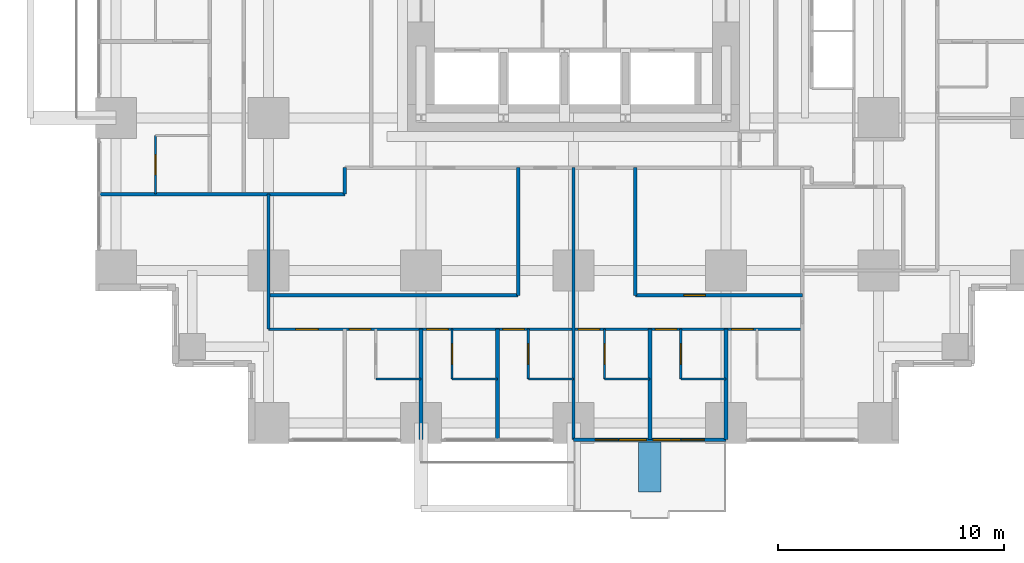
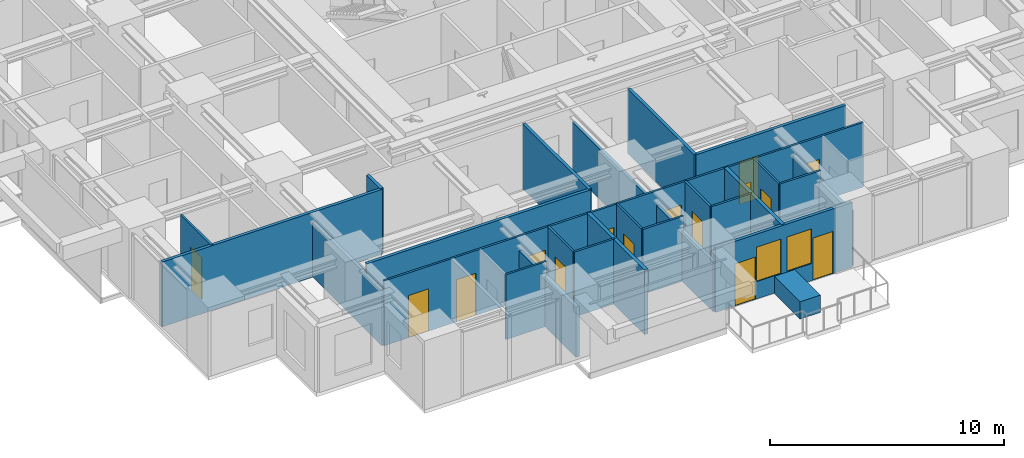
# One storey, part 8 of 14: 25 walls, 15 doors, 2 windows, 17 openings.
"""IFC4 building model written with IfcOpenShell, lengths in metres."""

from ifc_helpers import new_model, si_unit, direction, frame, frame_2d, origin, place, context, subcontext, project, spatial, rectangle, extrude, material, layer, layer_set, type_object, element, fill, save


model = new_model("IFC4")

# Units and contexts
model_context = context("Model", 3, precision=1e-05, world=origin(), true_north=direction((0.0, 1.0)))
body_context = subcontext(model_context, "Body", "Model", "MODEL_VIEW")
ifc_project = project(units=[si_unit("LENGTHUNIT", "METRE"), si_unit("AREAUNIT", "SQUARE_METRE"), si_unit("VOLUMEUNIT", "CUBIC_METRE"), si_unit("PLANEANGLEUNIT", "RADIAN"), si_unit("MASSUNIT", "GRAM", prefix="KILO")], contexts=[model_context])

# Site, building, storey
site_placement = place(None, origin())
site = spatial("IfcSite", under=ifc_project, at=site_placement, CompositionType="ELEMENT")
building_placement = place(site_placement, origin())
building = spatial("IfcBuilding", under=site, at=building_placement, Name="Nyansa Garden Tower", CompositionType="ELEMENT")
storey_placement = place(building_placement, frame((0.0, 0.0, 64.800048828125)))
storey = spatial("IfcBuildingStorey", under=building, at=storey_placement, Name="L17", CompositionType="ELEMENT", Elevation=64.800048828125)

# Walls
ifc_material_1 = material(Name="Dense blockwork, plastered both sides, 55 dB", Category="masonry")
ifc_layer_1 = layer(ifc_material_1, 0.175048828125)
ifc_layer_set_1 = layer_set([ifc_layer_1], Name="Acoustic party wall PW175")
wall_type_1 = type_object("IfcWallType", Name="Acoustic party wall PW175", PredefinedType="PARTITIONING", material=ifc_layer_set_1)
wall_1_placement = place(storey_placement, frame((13.5, -0.73388671875, 0.0), z_axis=(0.0, 0.0, 1.0), x_axis=(0.0, 1.0, 0.0)))
element("IfcWall", 1, at=wall_1_placement, inside=storey, type_object=wall_type_1, Name="Party wall", PredefinedType="PARTITIONING", context=body_context, shape_type="SweptSolid", body=[
    extrude(rectangle(XDim=4.8837890625, YDim=0.175048828125, at=frame_2d((2.44189453125, 0.0))), origin(), (0.0, 0.0, 1.0), 2.60986328125),
])
for number, where, z_axis, x_axis, name in (
    (2, (16.875, -0.73388671875, 0.0), (0.0, 0.0, 1.0), (0.0, 1.0, 0.0), "Party wall"),
    (3, (23.625, -0.73388671875, 0.0), (0.0, 0.0, 1.0), (0.0, 1.0, 0.0), "Party wall"),
):
    element("IfcWall", number, at=place(storey_placement, frame(where, z_axis=z_axis, x_axis=x_axis)), inside=storey, type_object=wall_type_1, Name=name, PredefinedType="PARTITIONING", context=body_context, shape_type="SweptSolid", body=[
        extrude(rectangle(XDim=4.8837890625, YDim=0.175048828125, at=frame_2d((2.44189453125, 0.0))), origin(), (0.0, 0.0, 1.0), 3.375),
    ])
wall_2_placement = place(storey_placement, frame((27.0, -0.73388671875, 0.0), z_axis=(0.0, 0.0, 1.0), x_axis=(0.0, 1.0, 0.0)))
element("IfcWall", 4, at=wall_2_placement, inside=storey, type_object=wall_type_1, Name="Party wall", PredefinedType="PARTITIONING", context=body_context, shape_type="SweptSolid", body=[
    extrude(rectangle(XDim=4.8837890625, YDim=0.175048828125, at=frame_2d((2.44189453125, 0.0))), origin(), (0.0, 0.0, 1.0), 2.876953125),
])

# Wall, openings, doors, windows
ifc_material_2 = material(Name="Black aluminium framed glazed screen", Category="aluminium")
ifc_layer_2 = layer(ifc_material_2, 0.14990234375)
ifc_layer_set_2 = layer_set([ifc_layer_2], Name="Balcony screen wall BW150")
wall_type_2 = type_object("IfcWallType", Name="Balcony screen wall BW150", PredefinedType="SOLIDWALL", material=ifc_layer_set_2)
wall_3_placement = place(storey_placement, frame((27.0, -0.75, 0.0), z_axis=(0.0, 0.0, 1.0), x_axis=(-1.0, 0.0, 0.0)))
wall_3 = element("IfcWall", 5, at=wall_3_placement, inside=storey, type_object=wall_type_2, Name="Glazed screen wall L17 S", PredefinedType="SOLIDWALL", context=body_context, shape_type="SweptSolid", body=[
    extrude(rectangle(XDim=6.75, YDim=0.14990234375, at=frame_2d((3.375, 0.0))), origin(), (0.0, 0.0, 1.0), 3.375),
])
opening_1_placement = place(wall_3_placement, frame((0.96240234375, 0.0, 0.0)))
opening_1 = element("IfcOpeningElement", 6, at=opening_1_placement, cuts=wall_3, Name="Opening D20", PredefinedType="OPENING", context=body_context, shape_type="SweptSolid", body=[
    extrude(rectangle(XDim=1.0, YDim=2.199951171875, at=frame_2d((0.5, 1.10009765625))), frame((0.0, 0.0849609375, 0.0), z_axis=(0.0, -1.0, 0.0), x_axis=(1.0, 0.0, 0.0)), (0.0, 0.0, 1.0), 0.169921875),
])
opening_2_placement = place(wall_3_placement, frame((2.02490234375, 0.0, 0.89990234375)))
opening_2 = element("IfcOpeningElement", 7, at=opening_2_placement, cuts=wall_3, Name="Opening W6", PredefinedType="OPENING", context=body_context, shape_type="SweptSolid", body=[
    extrude(rectangle(XDim=1.199951171875, YDim=1.800048828125, at=frame_2d((0.60009765625, 0.89990234375))), frame((0.0, 0.0849609375, 0.0), z_axis=(0.0, -1.0, 0.0), x_axis=(1.0, 0.0, 0.0)), (0.0, 0.0, 1.0), 0.169921875),
])
opening_3_placement = place(wall_3_placement, frame((4.78759765625, 0.0, 0.0)))
opening_3 = element("IfcOpeningElement", 8, at=opening_3_placement, cuts=wall_3, Name="Opening D20", PredefinedType="OPENING", context=body_context, shape_type="SweptSolid", body=[
    extrude(rectangle(XDim=1.0, YDim=2.199951171875, at=frame_2d((0.5, 1.10009765625))), frame((0.0, 0.0849609375, 0.0), z_axis=(0.0, -1.0, 0.0), x_axis=(1.0, 0.0, 0.0)), (0.0, 0.0, 1.0), 0.169921875),
])
opening_4_placement = place(wall_3_placement, frame((3.52490234375, 0.0, 0.89990234375)))
opening_4 = element("IfcOpeningElement", 9, at=opening_4_placement, cuts=wall_3, Name="Opening W6", PredefinedType="OPENING", context=body_context, shape_type="SweptSolid", body=[
    extrude(rectangle(XDim=1.199951171875, YDim=1.800048828125, at=frame_2d((0.60009765625, 0.89990234375))), frame((0.0, 0.0849609375, 0.0), z_axis=(0.0, -1.0, 0.0), x_axis=(1.0, 0.0, 0.0)), (0.0, 0.0, 1.0), 0.169921875),
])
ifc_material_3 = material(Name="Black aluminium framed glazed door", Category="aluminium")
door_type_1 = type_object("IfcDoorType", Name="Balcony door D20 1000x2200", OperationType="NOTDEFINED", PredefinedType="DOOR", material=ifc_material_3)
door_1_placement = place(opening_1_placement, origin())
door_1 = element("IfcDoor", 10, at=door_1_placement, inside=storey, type_object=door_type_1, Name="Balcony door L17", OperationType="SINGLE_SWING_LEFT", OverallHeight=2.199951171875, OverallWidth=1.0, PredefinedType="DOOR", context=body_context, shape_type="SweptSolid", body=[
    extrude(rectangle(XDim=1.0, YDim=2.199951171875, at=frame_2d((0.5, 1.10009765625))), frame((0.0, 0.02490234375, 0.0), z_axis=(0.0, -1.0, 0.0), x_axis=(1.0, 0.0, 0.0)), (0.0, 0.0, 1.0), 0.050048828125),
])
fill(opening_1, door_1)
door_2_placement = place(opening_3_placement, origin())
door_2 = element("IfcDoor", 11, at=door_2_placement, inside=storey, type_object=door_type_1, Name="Balcony door L17", OperationType="SINGLE_SWING_RIGHT", OverallHeight=2.199951171875, OverallWidth=1.0, PredefinedType="DOOR", context=body_context, shape_type="SweptSolid", body=[
    extrude(rectangle(XDim=1.0, YDim=2.199951171875, at=frame_2d((0.5, 1.10009765625))), frame((0.0, 0.02490234375, 0.0), z_axis=(0.0, -1.0, 0.0), x_axis=(1.0, 0.0, 0.0)), (0.0, 0.0, 1.0), 0.050048828125),
])
fill(opening_3, door_2)
ifc_material_4 = material(Name="Black aluminium frame, dark tinted double glazing", Category="aluminium")
window_type = type_object("IfcWindowType", Name="Balcony window W6 1200x1800", PartitioningType="SINGLE_PANEL", PredefinedType="WINDOW", material=ifc_material_4)
window_1_placement = place(opening_2_placement, origin())
window_1 = element("IfcWindow", 12, at=window_1_placement, inside=storey, type_object=window_type, Name="Window L17", OverallHeight=1.800048828125, OverallWidth=1.199951171875, PartitioningType="SINGLE_PANEL", PredefinedType="WINDOW", context=body_context, shape_type="SweptSolid", body=[
    extrude(rectangle(XDim=1.199951171875, YDim=1.800048828125, at=frame_2d((0.60009765625, 0.89990234375))), frame((0.0, 0.030029296875, 0.0), z_axis=(0.0, -1.0, 0.0), x_axis=(1.0, 0.0, 0.0)), (0.0, 0.0, 1.0), 0.06005859375),
])
fill(opening_2, window_1)
window_2_placement = place(opening_4_placement, origin())
window_2 = element("IfcWindow", 13, at=window_2_placement, inside=storey, type_object=window_type, Name="Window L17", OverallHeight=1.800048828125, OverallWidth=1.199951171875, PartitioningType="SINGLE_PANEL", PredefinedType="WINDOW", context=body_context, shape_type="SweptSolid", body=[
    extrude(rectangle(XDim=1.199951171875, YDim=1.800048828125, at=frame_2d((0.60009765625, 0.89990234375))), frame((0.0, 0.030029296875, 0.0), z_axis=(0.0, -1.0, 0.0), x_axis=(1.0, 0.0, 0.0)), (0.0, 0.0, 1.0), 0.06005859375),
])
fill(opening_4, window_2)

# Walls
ifc_material_5 = material(Name="Blockwork, plastered both sides", Category="masonry")
ifc_layer_3 = layer(ifc_material_5, 0.14990234375)
ifc_layer_set_3 = layer_set([ifc_layer_3], Name="Partition PW150")
wall_type_3 = type_object("IfcWallType", Name="Partition PW150", PredefinedType="PARTITIONING", material=ifc_layer_set_3)
wall_4_placement = place(storey_placement, frame((-0.73388671875, 10.125, 0.0), z_axis=(0.0, 0.0, 1.0), x_axis=(1.0, 0.0, 0.0)))
element("IfcWall", 14, at=wall_4_placement, inside=storey, type_object=wall_type_3, Name="Partition", PredefinedType="PARTITIONING", context=body_context, shape_type="SweptSolid", body=[
    extrude(rectangle(XDim=10.85888671875, YDim=0.14990234375, at=frame_2d((5.429443359375, 0.0))), origin(), (0.0, 0.0, 1.0), 3.375),
])
wall_5_placement = place(storey_placement, frame((6.75, 4.14990234375, 0.0), z_axis=(0.0, 0.0, 1.0), x_axis=(0.0, 1.0, 0.0)))
element("IfcWall", 15, at=wall_5_placement, inside=storey, type_object=wall_type_3, Name="Partition", PredefinedType="PARTITIONING", context=body_context, shape_type="SweptSolid", body=[
    extrude(rectangle(XDim=5.97509765625, YDim=0.14990234375, at=frame_2d((2.987548828125, 0.0))), origin(), (0.0, 0.0, 1.0), 2.876953125),
])
wall_6_placement = place(storey_placement, frame((6.75, 5.64990234375, 0.0), z_axis=(0.0, 0.0, 1.0), x_axis=(1.0, 0.0, 0.0)))
element("IfcWall", 16, at=wall_6_placement, inside=storey, type_object=wall_type_3, Name="Partition", PredefinedType="PARTITIONING", context=body_context, shape_type="SweptSolid", body=[
    extrude(rectangle(XDim=11.050048828125, YDim=0.14990234375, at=frame_2d((5.52490234375, 0.0))), origin(), (0.0, 0.0, 1.0), 3.375),
])
wall_7_placement = place(storey_placement, frame((10.125, 10.125, 0.0), z_axis=(0.0, 0.0, 1.0), x_axis=(0.0, 1.0, 0.0)))
element("IfcWall", 17, at=wall_7_placement, inside=storey, type_object=wall_type_3, Name="Partition", PredefinedType="PARTITIONING", context=body_context, shape_type="SweptSolid", body=[
    extrude(rectangle(XDim=1.175048828125, YDim=0.14990234375, at=frame_2d((0.58740234375, 0.0))), origin(), (0.0, 0.0, 1.0), 3.375),
])
wall_8_placement = place(storey_placement, frame((17.800048828125, 5.64990234375, 0.0), z_axis=(0.0, 0.0, 1.0), x_axis=(0.0, 1.0, 0.0)))
element("IfcWall", 18, at=wall_8_placement, inside=storey, type_object=wall_type_3, Name="Partition", PredefinedType="PARTITIONING", context=body_context, shape_type="SweptSolid", body=[
    extrude(rectangle(XDim=5.650146484375, YDim=0.14990234375, at=frame_2d((2.8251953125, 0.0))), origin(), (0.0, 0.0, 1.0), 3.375),
])
wall_9_placement = place(storey_placement, frame((20.25, -0.73388671875, 0.0), z_axis=(0.0, 0.0, 1.0), x_axis=(0.0, 1.0, 0.0)))
element("IfcWall", 19, at=wall_9_placement, inside=storey, type_object=wall_type_3, Name="Partition", PredefinedType="PARTITIONING", context=body_context, shape_type="SweptSolid", body=[
    extrude(rectangle(XDim=12.033935546875, YDim=0.14990234375, at=frame_2d((6.01708984375, 0.0))), origin(), (0.0, 0.0, 1.0), 2.60986328125),
])

# Wall, opening, door
wall_10_placement = place(storey_placement, frame((22.987548828125, 5.64990234375, 0.0), z_axis=(0.0, 0.0, 1.0), x_axis=(1.0, 0.0, 0.0)))
wall_10 = element("IfcWall", 20, at=wall_10_placement, inside=storey, type_object=wall_type_3, Name="Partition", PredefinedType="PARTITIONING", context=body_context, shape_type="SweptSolid", body=[
    extrude(rectangle(XDim=7.387451171875, YDim=0.14990234375, at=frame_2d((3.69384765625, 0.0))), origin(), (0.0, 0.0, 1.0), 3.375),
])
opening_5_placement = place(wall_10_placement, frame((2.14990234375, 0.0, 0.0)))
opening_5 = element("IfcOpeningElement", 21, at=opening_5_placement, cuts=wall_10, Name="Opening D01", PredefinedType="OPENING", context=body_context, shape_type="SweptSolid", body=[
    extrude(rectangle(XDim=0.949951171875, YDim=2.199951171875, at=frame_2d((0.47509765625, 1.10009765625))), frame((0.0, 0.0849609375, 0.0), z_axis=(0.0, -1.0, 0.0), x_axis=(1.0, 0.0, 0.0)), (0.0, 0.0, 1.0), 0.169921875),
])
ifc_material_6 = material(Name="Timber flush door, 30 minute fire resisting", Category="wood")
door_type_2 = type_object("IfcDoorType", Name="Bedroom door D01 950x2200", OperationType="SINGLE_SWING_LEFT", PredefinedType="DOOR", material=ifc_material_6)
door_3_placement = place(opening_5_placement, origin())
door_3 = element("IfcDoor", 22, at=door_3_placement, inside=storey, type_object=door_type_2, Name="Door L17-033", OperationType="SINGLE_SWING_LEFT", OverallHeight=2.199951171875, OverallWidth=0.949951171875, PredefinedType="DOOR", context=body_context, shape_type="SweptSolid", body=[
    extrude(rectangle(XDim=0.949951171875, YDim=2.199951171875, at=frame_2d((0.47509765625, 1.10009765625))), frame((0.0, 0.02490234375, 0.0), z_axis=(0.0, -1.0, 0.0), x_axis=(1.0, 0.0, 0.0)), (0.0, 0.0, 1.0), 0.050048828125),
])
fill(opening_5, door_3)

# Walls
wall_11_placement = place(storey_placement, frame((22.988037109375, 5.64990234375, 0.0), z_axis=(0.0, 0.0, 1.0), x_axis=(0.0, 1.0, 0.0)))
element("IfcWall", 23, at=wall_11_placement, inside=storey, type_object=wall_type_3, Name="Partition", PredefinedType="PARTITIONING", context=body_context, shape_type="SweptSolid", body=[
    extrude(rectangle(XDim=5.650146484375, YDim=0.14990234375, at=frame_2d((2.8251953125, 0.0))), origin(), (0.0, 0.0, 1.0), 3.375),
])
ifc_material_7 = material(Name="Concrete C40/50 planter, waterproofed", Category="concrete")
ifc_layer_4 = layer(ifc_material_7, 1.0)
ifc_layer_set_4 = layer_set([ifc_layer_4], Name="Tree planter TP1")
wall_type_4 = type_object("IfcWallType", Name="Tree planter TP1", PredefinedType="USERDEFINED", material=ifc_layer_set_4)
wall_12_placement = place(storey_placement, frame((23.625, -0.85009765625, 0.0), z_axis=(0.0, 0.0, 1.0), x_axis=(0.0, -1.0, 0.0)))
element("IfcWall", 24, at=wall_12_placement, inside=storey, type_object=wall_type_4, Name="Tree planter L17", ObjectType="TREE PLANTER", PredefinedType="USERDEFINED", context=body_context, shape_type="SweptSolid", body=[
    extrude(rectangle(XDim=2.199951171875, YDim=1.0, at=frame_2d((1.10009765625, 0.0))), origin(), (0.0, 0.0, 1.0), 0.89990234375),
])

# Wall, opening, door
ifc_material_8 = material(Name="Moisture resistant board on steel studs, tiled", Category="steel")
ifc_layer_5 = layer(ifc_material_8, 0.10009765625)
ifc_layer_set_5 = layer_set([ifc_layer_5], Name="Wet wall PW100")
wall_type_5 = type_object("IfcWallType", Name="Wet wall PW100", PredefinedType="PARTITIONING", material=ifc_layer_set_5)
wall_13_placement = place(storey_placement, frame((1.75, 10.125, 0.0), z_axis=(0.0, 0.0, 1.0), x_axis=(0.0, 1.0, 0.0)))
wall_13 = element("IfcWall", 25, at=wall_13_placement, inside=storey, type_object=wall_type_5, Name="Wet wall", PredefinedType="PARTITIONING", context=body_context, shape_type="SweptSolid", body=[
    extrude(rectangle(XDim=2.60009765625, YDim=0.10009765625, at=frame_2d((1.300048828125, 0.0))), origin(), (0.0, 0.0, 1.0), 3.375),
])
opening_6_placement = place(wall_13_placement, frame((0.85009765625, 0.0, 0.0)))
opening_6 = element("IfcOpeningElement", 26, at=opening_6_placement, cuts=wall_13, Name="Opening D02", PredefinedType="OPENING", context=body_context, shape_type="SweptSolid", body=[
    extrude(rectangle(XDim=0.89990234375, YDim=2.199951171875, at=frame_2d((0.449951171875, 1.10009765625))), frame((0.0, 0.06005859375, 0.0), z_axis=(0.0, -1.0, 0.0), x_axis=(1.0, 0.0, 0.0)), (0.0, 0.0, 1.0), 0.1201171875),
])
ifc_material_9 = material(Name="Timber flush door", Category="wood")
door_type_3 = type_object("IfcDoorType", Name="En-suite door D02 900x2200", OperationType="SINGLE_SWING_RIGHT", PredefinedType="DOOR", material=ifc_material_9)
door_4_placement = place(opening_6_placement, origin())
door_4 = element("IfcDoor", 27, at=door_4_placement, inside=storey, type_object=door_type_3, Name="Door L17-060", OperationType="SINGLE_SWING_RIGHT", OverallHeight=2.199951171875, OverallWidth=0.89990234375, PredefinedType="DOOR", context=body_context, shape_type="SweptSolid", body=[
    extrude(rectangle(XDim=0.89990234375, YDim=2.199951171875, at=frame_2d((0.449951171875, 1.10009765625))), frame((0.0, 0.02490234375, 0.0), z_axis=(0.0, -1.0, 0.0), x_axis=(1.0, 0.0, 0.0)), (0.0, 0.0, 1.0), 0.050048828125),
])
fill(opening_6, door_4)

# Wall, openings, doors
wall_14_placement = place(storey_placement, frame((6.75, 4.14990234375, 0.0), z_axis=(0.0, 0.0, 1.0), x_axis=(1.0, 0.0, 0.0)))
wall_14 = element("IfcWall", 28, at=wall_14_placement, inside=storey, type_object=wall_type_5, Name="Wet wall", PredefinedType="PARTITIONING", context=body_context, shape_type="SweptSolid", body=[
    extrude(rectangle(XDim=23.625, YDim=0.10009765625, at=frame_2d((11.8125, 0.0))), origin(), (0.0, 0.0, 1.0), 3.375),
])
opening_7_placement = place(wall_14_placement, frame((1.199951171875, 0.0, 0.0)))
opening_7 = element("IfcOpeningElement", 29, at=opening_7_placement, cuts=wall_14, Name="Opening D03", PredefinedType="OPENING", context=body_context, shape_type="SweptSolid", body=[
    extrude(rectangle(XDim=1.0, YDim=2.199951171875, at=frame_2d((0.5, 1.10009765625))), frame((0.0, 0.06005859375, 0.0), z_axis=(0.0, -1.0, 0.0), x_axis=(1.0, 0.0, 0.0)), (0.0, 0.0, 1.0), 0.1201171875),
])
opening_8_placement = place(wall_14_placement, frame((3.574951171875, 0.0, 0.0)))
opening_8 = element("IfcOpeningElement", 30, at=opening_8_placement, cuts=wall_14, Name="Opening D01", PredefinedType="OPENING", context=body_context, shape_type="SweptSolid", body=[
    extrude(rectangle(XDim=0.949951171875, YDim=2.199951171875, at=frame_2d((0.47509765625, 1.10009765625))), frame((0.0, 0.06005859375, 0.0), z_axis=(0.0, -1.0, 0.0), x_axis=(1.0, 0.0, 0.0)), (0.0, 0.0, 1.0), 0.1201171875),
])
opening_9_placement = place(wall_14_placement, frame((7.0, 0.0, 0.0)))
opening_9 = element("IfcOpeningElement", 31, at=opening_9_placement, cuts=wall_14, Name="Opening D01", PredefinedType="OPENING", context=body_context, shape_type="SweptSolid", body=[
    extrude(rectangle(XDim=0.949951171875, YDim=2.199951171875, at=frame_2d((0.47509765625, 1.10009765625))), frame((0.0, 0.06005859375, 0.0), z_axis=(0.0, -1.0, 0.0), x_axis=(1.0, 0.0, 0.0)), (0.0, 0.0, 1.0), 0.1201171875),
])
opening_10_placement = place(wall_14_placement, frame((10.375, 0.0, 0.0)))
opening_10 = element("IfcOpeningElement", 32, at=opening_10_placement, cuts=wall_14, Name="Opening D01", PredefinedType="OPENING", context=body_context, shape_type="SweptSolid", body=[
    extrude(rectangle(XDim=0.949951171875, YDim=2.199951171875, at=frame_2d((0.47509765625, 1.10009765625))), frame((0.0, 0.06005859375, 0.0), z_axis=(0.0, -1.0, 0.0), x_axis=(1.0, 0.0, 0.0)), (0.0, 0.0, 1.0), 0.1201171875),
])
opening_11_placement = place(wall_14_placement, frame((13.699951171875, 0.0, 0.0)))
opening_11 = element("IfcOpeningElement", 33, at=opening_11_placement, cuts=wall_14, Name="Opening D14", PredefinedType="OPENING", context=body_context, shape_type="SweptSolid", body=[
    extrude(rectangle(XDim=0.949951171875, YDim=2.199951171875, at=frame_2d((0.47509765625, 1.10009765625))), frame((0.0, 0.06005859375, 0.0), z_axis=(0.0, -1.0, 0.0), x_axis=(1.0, 0.0, 0.0)), (0.0, 0.0, 1.0), 0.1201171875),
])
opening_12_placement = place(wall_14_placement, frame((17.125, 0.0, 0.0)))
opening_12 = element("IfcOpeningElement", 34, at=opening_12_placement, cuts=wall_14, Name="Opening D14", PredefinedType="OPENING", context=body_context, shape_type="SweptSolid", body=[
    extrude(rectangle(XDim=0.949951171875, YDim=2.199951171875, at=frame_2d((0.47509765625, 1.10009765625))), frame((0.0, 0.06005859375, 0.0), z_axis=(0.0, -1.0, 0.0), x_axis=(1.0, 0.0, 0.0)), (0.0, 0.0, 1.0), 0.1201171875),
])
opening_13_placement = place(wall_14_placement, frame((20.5, 0.0, 0.0)))
opening_13 = element("IfcOpeningElement", 35, at=opening_13_placement, cuts=wall_14, Name="Opening D14", PredefinedType="OPENING", context=body_context, shape_type="SweptSolid", body=[
    extrude(rectangle(XDim=0.949951171875, YDim=2.199951171875, at=frame_2d((0.47509765625, 1.10009765625))), frame((0.0, 0.06005859375, 0.0), z_axis=(0.0, -1.0, 0.0), x_axis=(1.0, 0.0, 0.0)), (0.0, 0.0, 1.0), 0.1201171875),
])
door_5_placement = place(opening_8_placement, origin())
door_5 = element("IfcDoor", 36, at=door_5_placement, inside=storey, type_object=door_type_2, Name="Door L17-018", OperationType="SINGLE_SWING_LEFT", OverallHeight=2.199951171875, OverallWidth=0.949951171875, PredefinedType="DOOR", context=body_context, shape_type="SweptSolid", body=[
    extrude(rectangle(XDim=0.949951171875, YDim=2.199951171875, at=frame_2d((0.47509765625, 1.10009765625))), frame((0.0, 0.02490234375, 0.0), z_axis=(0.0, -1.0, 0.0), x_axis=(1.0, 0.0, 0.0)), (0.0, 0.0, 1.0), 0.050048828125),
])
fill(opening_8, door_5)
door_6_placement = place(opening_9_placement, origin())
door_6 = element("IfcDoor", 37, at=door_6_placement, inside=storey, type_object=door_type_2, Name="Door L17-020", OperationType="SINGLE_SWING_LEFT", OverallHeight=2.199951171875, OverallWidth=0.949951171875, PredefinedType="DOOR", context=body_context, shape_type="SweptSolid", body=[
    extrude(rectangle(XDim=0.949951171875, YDim=2.199951171875, at=frame_2d((0.47509765625, 1.10009765625))), frame((0.0, 0.02490234375, 0.0), z_axis=(0.0, -1.0, 0.0), x_axis=(1.0, 0.0, 0.0)), (0.0, 0.0, 1.0), 0.050048828125),
])
fill(opening_9, door_6)
door_7_placement = place(opening_10_placement, origin())
door_7 = element("IfcDoor", 38, at=door_7_placement, inside=storey, type_object=door_type_2, Name="Door L17-022", OperationType="SINGLE_SWING_LEFT", OverallHeight=2.199951171875, OverallWidth=0.949951171875, PredefinedType="DOOR", context=body_context, shape_type="SweptSolid", body=[
    extrude(rectangle(XDim=0.949951171875, YDim=2.199951171875, at=frame_2d((0.47509765625, 1.10009765625))), frame((0.0, 0.02490234375, 0.0), z_axis=(0.0, -1.0, 0.0), x_axis=(1.0, 0.0, 0.0)), (0.0, 0.0, 1.0), 0.050048828125),
])
fill(opening_10, door_7)
ifc_material_10 = material(Name="Timber flush door, 60 minute fire resisting", Category="wood")
door_type_4 = type_object("IfcDoorType", Name="Cluster entrance door D03 1000x2200", OperationType="SINGLE_SWING_LEFT", PredefinedType="DOOR", material=ifc_material_10)
door_8_placement = place(opening_7_placement, origin())
door_8 = element("IfcDoor", 39, at=door_8_placement, inside=storey, type_object=door_type_4, Name="Door L17-017", OperationType="SINGLE_SWING_LEFT", OverallHeight=2.199951171875, OverallWidth=1.0, PredefinedType="DOOR", context=body_context, shape_type="SweptSolid", body=[
    extrude(rectangle(XDim=1.0, YDim=2.199951171875, at=frame_2d((0.5, 1.10009765625))), frame((0.0, 0.02490234375, 0.0), z_axis=(0.0, -1.0, 0.0), x_axis=(1.0, 0.0, 0.0)), (0.0, 0.0, 1.0), 0.050048828125),
])
fill(opening_7, door_8)
ifc_material_11 = material(Name="Timber flush door, 60 minute fire resisting, self-closing", Category="wood")
door_type_5 = type_object("IfcDoorType", Name="Studio entrance door D14 950x2200", OperationType="SINGLE_SWING_LEFT", PredefinedType="DOOR", material=ifc_material_11)
door_9_placement = place(opening_11_placement, origin())
door_9 = element("IfcDoor", 40, at=door_9_placement, inside=storey, type_object=door_type_5, Name="Door L17-025", OperationType="SINGLE_SWING_LEFT", OverallHeight=2.199951171875, OverallWidth=0.949951171875, PredefinedType="DOOR", context=body_context, shape_type="SweptSolid", body=[
    extrude(rectangle(XDim=0.949951171875, YDim=2.199951171875, at=frame_2d((0.47509765625, 1.10009765625))), frame((0.0, 0.02490234375, 0.0), z_axis=(0.0, -1.0, 0.0), x_axis=(1.0, 0.0, 0.0)), (0.0, 0.0, 1.0), 0.050048828125),
])
fill(opening_11, door_9)
door_10_placement = place(opening_12_placement, origin())
door_10 = element("IfcDoor", 41, at=door_10_placement, inside=storey, type_object=door_type_5, Name="Door L17-027", OperationType="SINGLE_SWING_LEFT", OverallHeight=2.199951171875, OverallWidth=0.949951171875, PredefinedType="DOOR", context=body_context, shape_type="SweptSolid", body=[
    extrude(rectangle(XDim=0.949951171875, YDim=2.199951171875, at=frame_2d((0.47509765625, 1.10009765625))), frame((0.0, 0.02490234375, 0.0), z_axis=(0.0, -1.0, 0.0), x_axis=(1.0, 0.0, 0.0)), (0.0, 0.0, 1.0), 0.050048828125),
])
fill(opening_12, door_10)
door_11_placement = place(opening_13_placement, origin())
door_11 = element("IfcDoor", 42, at=door_11_placement, inside=storey, type_object=door_type_5, Name="Door L17-029", OperationType="SINGLE_SWING_LEFT", OverallHeight=2.199951171875, OverallWidth=0.949951171875, PredefinedType="DOOR", context=body_context, shape_type="SweptSolid", body=[
    extrude(rectangle(XDim=0.949951171875, YDim=2.199951171875, at=frame_2d((0.47509765625, 1.10009765625))), frame((0.0, 0.02490234375, 0.0), z_axis=(0.0, -1.0, 0.0), x_axis=(1.0, 0.0, 0.0)), (0.0, 0.0, 1.0), 0.050048828125),
])
fill(opening_13, door_11)

# Wall
wall_15_placement = place(storey_placement, frame((11.5, 1.949951171875, 0.0), z_axis=(0.0, 0.0, 1.0), x_axis=(1.0, 0.0, 0.0)))
element("IfcWall", 43, at=wall_15_placement, inside=storey, type_object=wall_type_5, Name="Wet wall", PredefinedType="PARTITIONING", context=body_context, shape_type="SweptSolid", body=[
    extrude(rectangle(XDim=2.0, YDim=0.10009765625, at=frame_2d((1.0, 0.0))), origin(), (0.0, 0.0, 1.0), 3.375),
])

# Wall, opening, door
wall_16_placement = place(storey_placement, frame((14.875, 1.949951171875, 0.0), z_axis=(0.0, 0.0, 1.0), x_axis=(0.0, 1.0, 0.0)))
wall_16 = element("IfcWall", 44, at=wall_16_placement, inside=storey, type_object=wall_type_5, Name="Wet wall", PredefinedType="PARTITIONING", context=body_context, shape_type="SweptSolid", body=[
    extrude(rectangle(XDim=2.199951171875, YDim=0.10009765625, at=frame_2d((1.10009765625, 0.0))), origin(), (0.0, 0.0, 1.0), 3.375),
])
opening_14_placement = place(wall_16_placement, frame((0.64990234375, 0.0, 0.0)))
opening_14 = element("IfcOpeningElement", 45, at=opening_14_placement, cuts=wall_16, Name="Opening D02", PredefinedType="OPENING", context=body_context, shape_type="SweptSolid", body=[
    extrude(rectangle(XDim=0.89990234375, YDim=2.199951171875, at=frame_2d((0.449951171875, 1.10009765625))), frame((0.0, 0.06005859375, 0.0), z_axis=(0.0, -1.0, 0.0), x_axis=(1.0, 0.0, 0.0)), (0.0, 0.0, 1.0), 0.1201171875),
])
door_12_placement = place(opening_14_placement, origin())
door_12 = element("IfcDoor", 46, at=door_12_placement, inside=storey, type_object=door_type_3, Name="Door L17-021", OperationType="SINGLE_SWING_RIGHT", OverallHeight=2.199951171875, OverallWidth=0.89990234375, PredefinedType="DOOR", context=body_context, shape_type="SweptSolid", body=[
    extrude(rectangle(XDim=0.89990234375, YDim=2.199951171875, at=frame_2d((0.449951171875, 1.10009765625))), frame((0.0, 0.02490234375, 0.0), z_axis=(0.0, -1.0, 0.0), x_axis=(1.0, 0.0, 0.0)), (0.0, 0.0, 1.0), 0.050048828125),
])
fill(opening_14, door_12)

# Wall
wall_17_placement = place(storey_placement, frame((14.875, 1.949951171875, 0.0), z_axis=(0.0, 0.0, 1.0), x_axis=(1.0, 0.0, 0.0)))
element("IfcWall", 47, at=wall_17_placement, inside=storey, type_object=wall_type_5, Name="Wet wall", PredefinedType="PARTITIONING", context=body_context, shape_type="SweptSolid", body=[
    extrude(rectangle(XDim=2.0, YDim=0.10009765625, at=frame_2d((1.0, 0.0))), origin(), (0.0, 0.0, 1.0), 3.375),
])

# Wall, opening, door
wall_18_placement = place(storey_placement, frame((18.25, 1.949951171875, 0.0), z_axis=(0.0, 0.0, 1.0), x_axis=(0.0, 1.0, 0.0)))
wall_18 = element("IfcWall", 48, at=wall_18_placement, inside=storey, type_object=wall_type_5, Name="Wet wall", PredefinedType="PARTITIONING", context=body_context, shape_type="SweptSolid", body=[
    extrude(rectangle(XDim=2.199951171875, YDim=0.10009765625, at=frame_2d((1.10009765625, 0.0))), origin(), (0.0, 0.0, 1.0), 3.375),
])
opening_15_placement = place(wall_18_placement, frame((0.64990234375, 0.0, 0.0)))
opening_15 = element("IfcOpeningElement", 49, at=opening_15_placement, cuts=wall_18, Name="Opening D02", PredefinedType="OPENING", context=body_context, shape_type="SweptSolid", body=[
    extrude(rectangle(XDim=0.89990234375, YDim=2.199951171875, at=frame_2d((0.449951171875, 1.10009765625))), frame((0.0, 0.06005859375, 0.0), z_axis=(0.0, -1.0, 0.0), x_axis=(1.0, 0.0, 0.0)), (0.0, 0.0, 1.0), 0.1201171875),
])
door_13_placement = place(opening_15_placement, origin())
door_13 = element("IfcDoor", 50, at=door_13_placement, inside=storey, type_object=door_type_3, Name="Door L17-023", OperationType="SINGLE_SWING_RIGHT", OverallHeight=2.199951171875, OverallWidth=0.89990234375, PredefinedType="DOOR", context=body_context, shape_type="SweptSolid", body=[
    extrude(rectangle(XDim=0.89990234375, YDim=2.199951171875, at=frame_2d((0.449951171875, 1.10009765625))), frame((0.0, 0.02490234375, 0.0), z_axis=(0.0, -1.0, 0.0), x_axis=(1.0, 0.0, 0.0)), (0.0, 0.0, 1.0), 0.050048828125),
])
fill(opening_15, door_13)

# Wall
wall_19_placement = place(storey_placement, frame((18.25, 1.949951171875, 0.0), z_axis=(0.0, 0.0, 1.0), x_axis=(1.0, 0.0, 0.0)))
element("IfcWall", 51, at=wall_19_placement, inside=storey, type_object=wall_type_5, Name="Wet wall", PredefinedType="PARTITIONING", context=body_context, shape_type="SweptSolid", body=[
    extrude(rectangle(XDim=2.0, YDim=0.10009765625, at=frame_2d((1.0, 0.0))), origin(), (0.0, 0.0, 1.0), 3.375),
])

# Wall, opening, door
wall_20_placement = place(storey_placement, frame((21.625, 1.949951171875, 0.0), z_axis=(0.0, 0.0, 1.0), x_axis=(0.0, 1.0, 0.0)))
wall_20 = element("IfcWall", 52, at=wall_20_placement, inside=storey, type_object=wall_type_5, Name="Wet wall", PredefinedType="PARTITIONING", context=body_context, shape_type="SweptSolid", body=[
    extrude(rectangle(XDim=2.199951171875, YDim=0.10009765625, at=frame_2d((1.10009765625, 0.0))), origin(), (0.0, 0.0, 1.0), 3.375),
])
opening_16_placement = place(wall_20_placement, frame((0.64990234375, 0.0, 0.0)))
opening_16 = element("IfcOpeningElement", 53, at=opening_16_placement, cuts=wall_20, Name="Opening D02", PredefinedType="OPENING", context=body_context, shape_type="SweptSolid", body=[
    extrude(rectangle(XDim=0.89990234375, YDim=2.199951171875, at=frame_2d((0.449951171875, 1.10009765625))), frame((0.0, 0.06005859375, 0.0), z_axis=(0.0, -1.0, 0.0), x_axis=(1.0, 0.0, 0.0)), (0.0, 0.0, 1.0), 0.1201171875),
])
door_14_placement = place(opening_16_placement, origin())
door_14 = element("IfcDoor", 54, at=door_14_placement, inside=storey, type_object=door_type_3, Name="Door L17-026", OperationType="SINGLE_SWING_RIGHT", OverallHeight=2.199951171875, OverallWidth=0.89990234375, PredefinedType="DOOR", context=body_context, shape_type="SweptSolid", body=[
    extrude(rectangle(XDim=0.89990234375, YDim=2.199951171875, at=frame_2d((0.449951171875, 1.10009765625))), frame((0.0, 0.02490234375, 0.0), z_axis=(0.0, -1.0, 0.0), x_axis=(1.0, 0.0, 0.0)), (0.0, 0.0, 1.0), 0.050048828125),
])
fill(opening_16, door_14)

# Wall
wall_21_placement = place(storey_placement, frame((21.625, 1.949951171875, 0.0), z_axis=(0.0, 0.0, 1.0), x_axis=(1.0, 0.0, 0.0)))
element("IfcWall", 55, at=wall_21_placement, inside=storey, type_object=wall_type_5, Name="Wet wall", PredefinedType="PARTITIONING", context=body_context, shape_type="SweptSolid", body=[
    extrude(rectangle(XDim=2.0, YDim=0.10009765625, at=frame_2d((1.0, 0.0))), origin(), (0.0, 0.0, 1.0), 3.375),
])

# Wall, opening, door
wall_22_placement = place(storey_placement, frame((25.0, 1.949951171875, 0.0), z_axis=(0.0, 0.0, 1.0), x_axis=(0.0, 1.0, 0.0)))
wall_22 = element("IfcWall", 56, at=wall_22_placement, inside=storey, type_object=wall_type_5, Name="Wet wall", PredefinedType="PARTITIONING", context=body_context, shape_type="SweptSolid", body=[
    extrude(rectangle(XDim=2.199951171875, YDim=0.10009765625, at=frame_2d((1.10009765625, 0.0))), origin(), (0.0, 0.0, 1.0), 3.375),
])
opening_17_placement = place(wall_22_placement, frame((0.64990234375, 0.0, 0.0)))
opening_17 = element("IfcOpeningElement", 57, at=opening_17_placement, cuts=wall_22, Name="Opening D02", PredefinedType="OPENING", context=body_context, shape_type="SweptSolid", body=[
    extrude(rectangle(XDim=0.89990234375, YDim=2.199951171875, at=frame_2d((0.449951171875, 1.10009765625))), frame((0.0, 0.06005859375, 0.0), z_axis=(0.0, -1.0, 0.0), x_axis=(1.0, 0.0, 0.0)), (0.0, 0.0, 1.0), 0.1201171875),
])
door_15_placement = place(opening_17_placement, origin())
door_15 = element("IfcDoor", 58, at=door_15_placement, inside=storey, type_object=door_type_3, Name="Door L17-028", OperationType="SINGLE_SWING_RIGHT", OverallHeight=2.199951171875, OverallWidth=0.89990234375, PredefinedType="DOOR", context=body_context, shape_type="SweptSolid", body=[
    extrude(rectangle(XDim=0.89990234375, YDim=2.199951171875, at=frame_2d((0.449951171875, 1.10009765625))), frame((0.0, 0.02490234375, 0.0), z_axis=(0.0, -1.0, 0.0), x_axis=(1.0, 0.0, 0.0)), (0.0, 0.0, 1.0), 0.050048828125),
])
fill(opening_17, door_15)

# Wall
wall_23_placement = place(storey_placement, frame((25.0, 1.949951171875, 0.0), z_axis=(0.0, 0.0, 1.0), x_axis=(1.0, 0.0, 0.0)))
element("IfcWall", 59, at=wall_23_placement, inside=storey, type_object=wall_type_5, Name="Wet wall", PredefinedType="PARTITIONING", context=body_context, shape_type="SweptSolid", body=[
    extrude(rectangle(XDim=2.0, YDim=0.10009765625, at=frame_2d((1.0, 0.0))), origin(), (0.0, 0.0, 1.0), 3.375),
])

save(model, "model.ifc")
